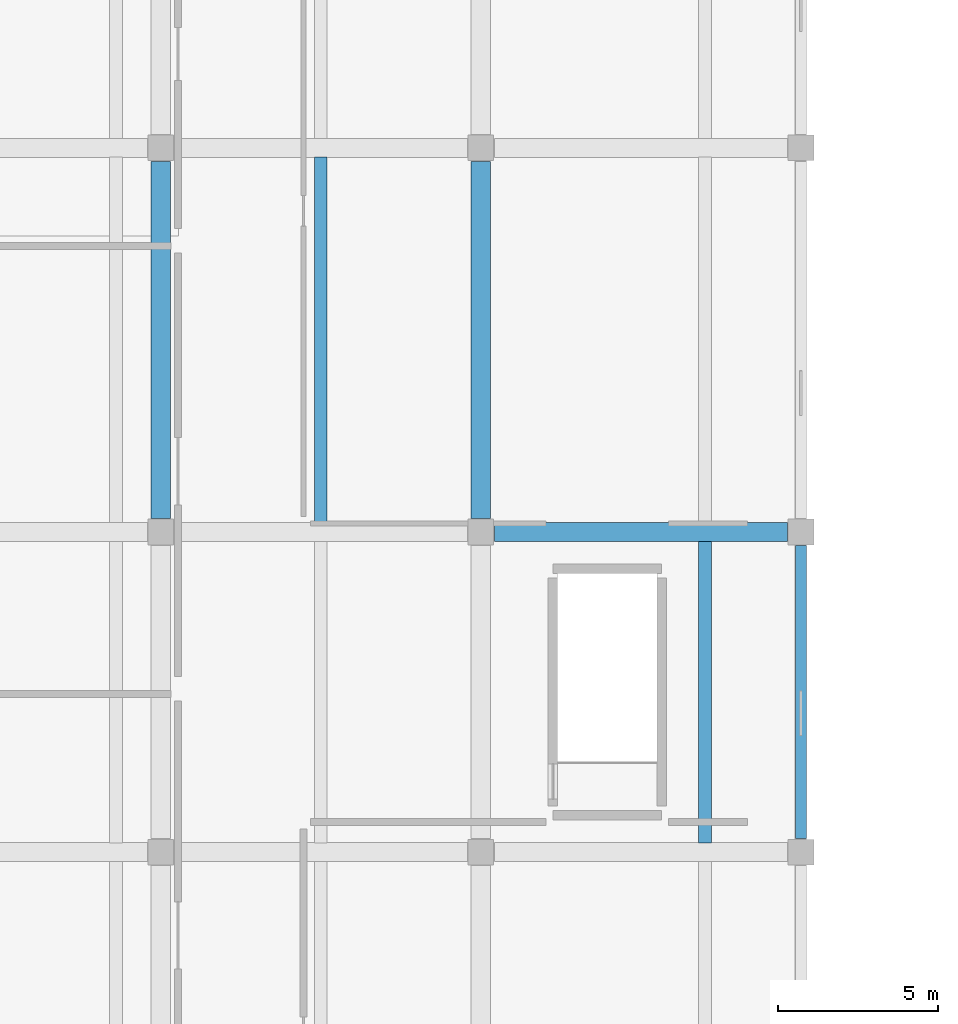
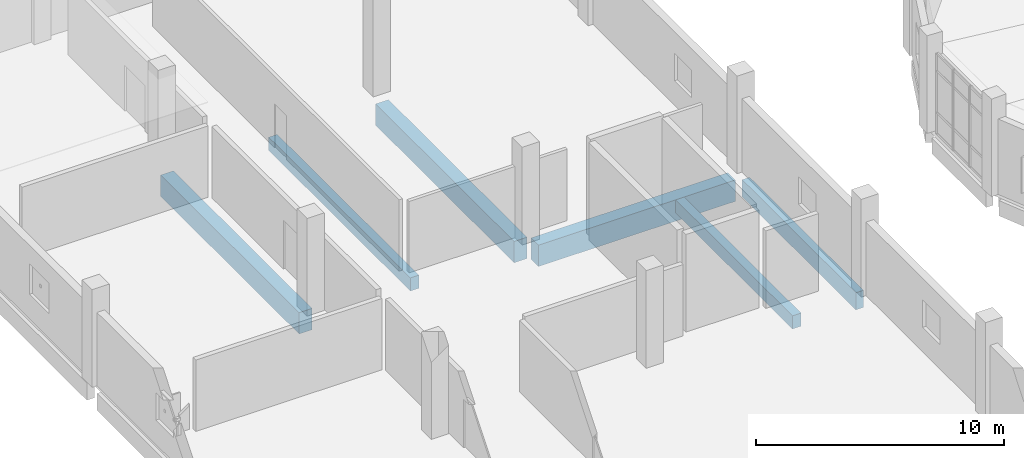
# One storey, part 24 of 179: 6 beams.
"""IFC4 building model written with IfcOpenShell, lengths in metres."""

from ifc_helpers import new_model, si_unit, direction, frame, origin, origin_2d, place, context, subcontext, project, spatial, rectangle, extrude, material, material_profile, profile_set, type_object, element, save


model = new_model("IFC4")

# Units and contexts
model_context = context("Model", 3, precision=1e-05, world=origin(), true_north=direction((0.0, 1.0)))
body_context = subcontext(model_context, "Body", "Model", "MODEL_VIEW")
ifc_project = project(units=[si_unit("LENGTHUNIT", "METRE"), si_unit("AREAUNIT", "SQUARE_METRE"), si_unit("VOLUMEUNIT", "CUBIC_METRE"), si_unit("PLANEANGLEUNIT", "RADIAN"), si_unit("MASSUNIT", "GRAM", prefix="KILO")], contexts=[model_context])

# Site, building, storey
site_placement = place(None, origin())
site = spatial("IfcSite", under=ifc_project, at=site_placement, CompositionType="ELEMENT")
building_placement = place(site_placement, origin())
building = spatial("IfcBuilding", under=site, at=building_placement, Name="Corvandel Quay Wholesale Market", CompositionType="ELEMENT")
storey_placement = place(building_placement, frame((0.0, 0.0, 6.0)))
storey = spatial("IfcBuildingStorey", under=building, at=storey_placement, Name="L01", CompositionType="ELEMENT", Elevation=6.0)

# Beams
ifc_material = material(Name="Precast concrete C45/55", Category="concrete")
ifc_material_profile_1 = material_profile(ifc_material, rectangle(XDim=0.60009765625, YDim=1.050048828125, at=origin_2d()), Name="PC-GIR-600x1050")
ifc_profile_set_1 = profile_set([ifc_material_profile_1], Name="Precast concrete C45/55")
beam_type_1 = type_object("IfcBeamType", Name="Cold Store Primary Girder G01 600x1050", PredefinedType="USERDEFINED", material=ifc_profile_set_1)
beam_1_placement = place(storey_placement, frame((40.419921875, 120.0, -0.885009765625), z_axis=(1.0, 0.0, 0.0), x_axis=(0.0, 1.0, 0.0)))
element("IfcBeam", 1, at=beam_1_placement, inside=storey, type_object=beam_type_1, Name="Beam BM-1051", ObjectType="GIRDER", PredefinedType="USERDEFINED", context=body_context, shape_type="SweptSolid", body=[
    extrude(rectangle(XDim=0.60009765625, YDim=1.050048828125, at=origin_2d()), origin(), (0.0, 0.0, 1.0), 9.16015625),
])
for number, where, z_axis, x_axis, name in (
    (2, (30.0, 120.419921875, -0.885009765625), (0.0, 1.0, 0.0), (-1.0, 0.0, 0.0), "Beam BM-1082"),
    (3, (40.0, 120.419921875, -0.885009765625), (0.0, 1.0, 0.0), (-1.0, 0.0, 0.0), "Beam BM-1095"),
):
    element("IfcBeam", number, at=place(storey_placement, frame(where, z_axis=z_axis, x_axis=x_axis)), inside=storey, type_object=beam_type_1, Name=name, ObjectType="GIRDER", PredefinedType="USERDEFINED", context=body_context, shape_type="SweptSolid", body=[
        extrude(rectangle(XDim=0.60009765625, YDim=1.050048828125, at=origin_2d()), origin(), (0.0, 0.0, 1.0), 11.16015625),
    ])
ifc_material_profile_2 = material_profile(ifc_material, rectangle(XDim=0.39990234375, YDim=0.64990234375, at=origin_2d()), Name="PC-BM-400x650")
ifc_profile_set_2 = profile_set([ifc_material_profile_2], Name="Precast concrete C45/55")
beam_type_2 = type_object("IfcBeamType", Name="Cold Store Secondary Beam B01 400x650", PredefinedType="BEAM", material=ifc_profile_set_2)
beam_2_placement = place(storey_placement, frame((35.0, 120.2900390625, -0.68505859375), z_axis=(0.0, 1.0, 0.0), x_axis=(-1.0, 0.0, 0.0)))
element("IfcBeam", 4, at=beam_2_placement, inside=storey, type_object=beam_type_2, Name="Beam BM-1134", PredefinedType="BEAM", context=body_context, shape_type="SweptSolid", body=[
    extrude(rectangle(XDim=0.39990234375, YDim=0.64990234375, at=origin_2d()), origin(), (0.0, 0.0, 1.0), 11.419921875),
])
beam_3_placement = place(storey_placement, frame((47.0, 110.2900390625, -0.68505859375), z_axis=(0.0, 1.0, 0.0), x_axis=(-1.0, 0.0, 0.0)))
element("IfcBeam", 5, at=beam_3_placement, inside=storey, type_object=beam_type_2, Name="Beam BM-1146", PredefinedType="BEAM", context=body_context, shape_type="SweptSolid", body=[
    extrude(rectangle(XDim=0.39990234375, YDim=0.64990234375, at=origin_2d()), origin(), (0.0, 0.0, 1.0), 9.419921875),
])
ifc_material_profile_3 = material_profile(ifc_material, rectangle(XDim=0.35009765625, YDim=0.85009765625, at=origin_2d()), Name="PC-SPN-350x850")
ifc_profile_set_3 = profile_set([ifc_material_profile_3], Name="Precast concrete C45/55")
beam_type_3 = type_object("IfcBeamType", Name="Perimeter Precast Spandrel SP01 350x850", PredefinedType="SPANDREL", material=ifc_profile_set_3)
beam_4_placement = place(storey_placement, frame((50.0, 110.419921875, -0.784912109375), z_axis=(0.0, 1.0, 0.0), x_axis=(-1.0, 0.0, 0.0)))
element("IfcBeam", 6, at=beam_4_placement, inside=storey, type_object=beam_type_3, Name="Beam BM-1107", PredefinedType="SPANDREL", context=body_context, shape_type="SweptSolid", body=[
    extrude(rectangle(XDim=0.35009765625, YDim=0.85009765625, at=origin_2d()), origin(), (0.0, 0.0, 1.0), 9.16015625),
])

save(model, "model.ifc")
